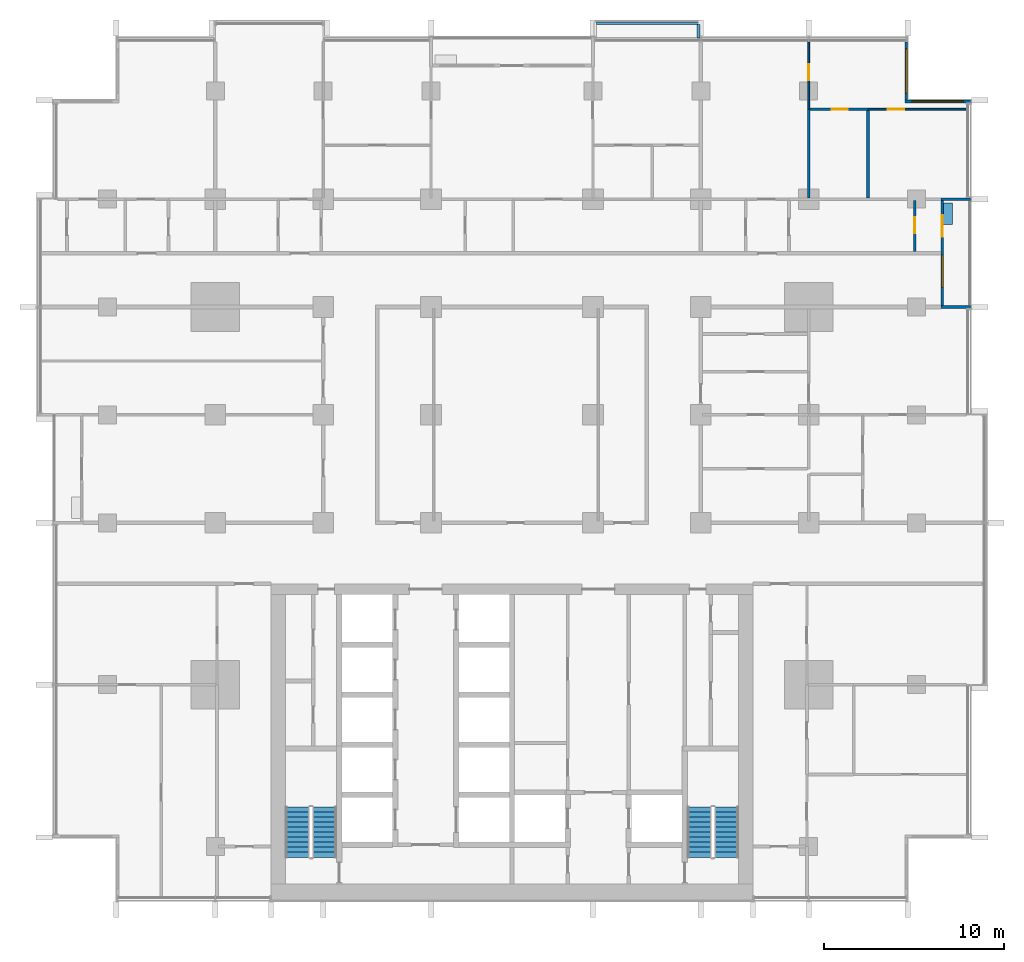
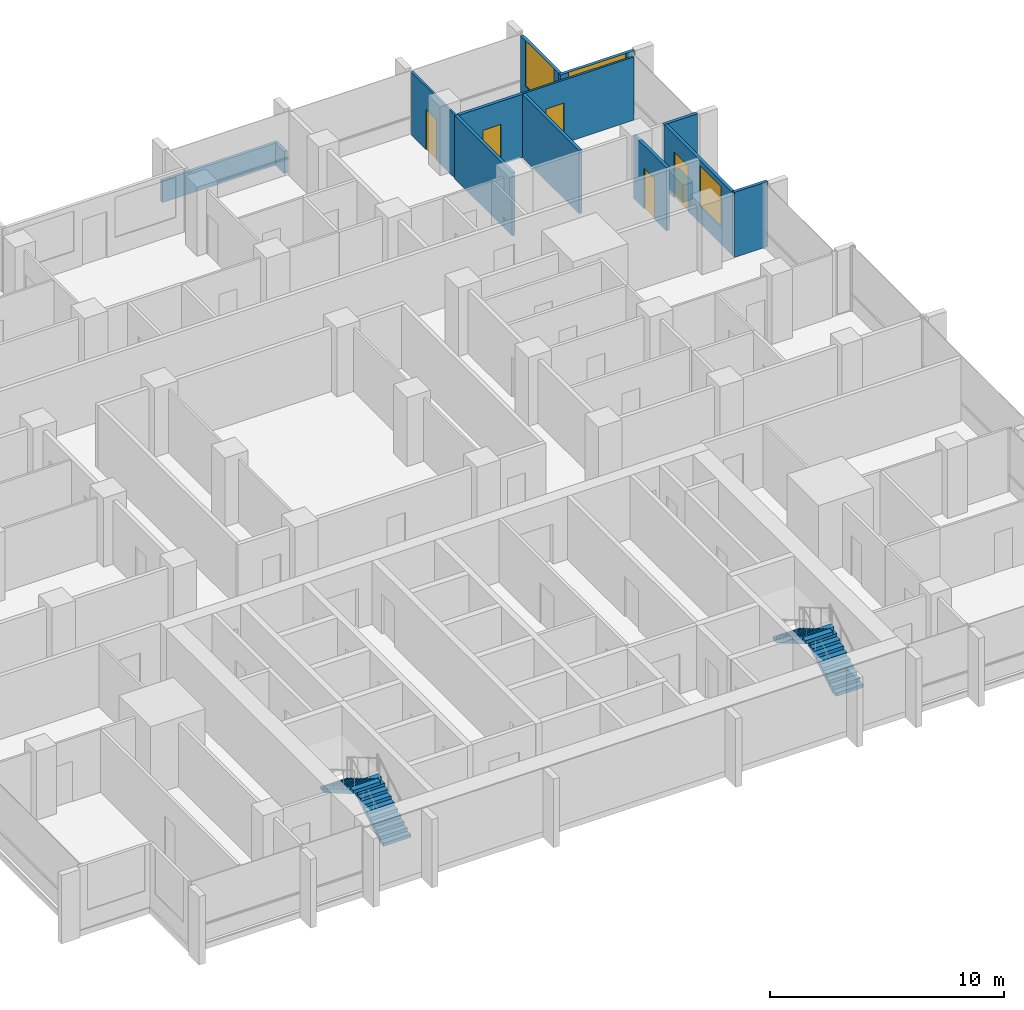
# One storey, part 12 of 17: 14 walls, 5 doors, 4 stair flights, 3 windows, 8 openings, 2 elements without a shape of their own.
"""IFC4 building model written with IfcOpenShell, lengths in metres."""

from ifc_helpers import new_model, si_unit, direction, frame, frame_2d, origin, place, context, subcontext, project, spatial, polyline, rectangle, outline, extrude, material, layer, layer_set, type_object, element, fill, aggregate, save


model = new_model("IFC4")

# Units and contexts
model_context = context("Model", 3, precision=1e-05, world=origin(), true_north=direction((0.0, 1.0)))
body_context = subcontext(model_context, "Body", "Model", "MODEL_VIEW")
ifc_project = project(units=[si_unit("LENGTHUNIT", "METRE"), si_unit("AREAUNIT", "SQUARE_METRE"), si_unit("VOLUMEUNIT", "CUBIC_METRE"), si_unit("PLANEANGLEUNIT", "RADIAN"), si_unit("MASSUNIT", "GRAM", prefix="KILO")], contexts=[model_context])

# Site, building, storey
site_placement = place(None, origin())
site = spatial("IfcSite", under=ifc_project, at=site_placement, CompositionType="ELEMENT")
building_placement = place(site_placement, origin())
building = spatial("IfcBuilding", under=site, at=building_placement, Name="Finial Court Residences", CompositionType="ELEMENT")
storey_placement = place(building_placement, frame((0.0, 0.0, 91.89990234375)))
storey = spatial("IfcBuildingStorey", under=building, at=storey_placement, Name="L22", CompositionType="ELEMENT", Elevation=91.89990234375)

# Wall, opening, door
ifc_material_1 = material(Name="Gypsum board")
ifc_layer_1 = layer(ifc_material_1, 0.012451171875)
ifc_material_2 = material(Name="Mineral wool in light-gauge frame")
ifc_layer_2 = layer(ifc_material_2, 0.074951171875)
ifc_layer_3 = layer(ifc_material_1, 0.012451171875)
ifc_layer_set_1 = layer_set([ifc_layer_1, ifc_layer_2, ifc_layer_3], Name="Gypsum board partition 100")
wall_type_1 = type_object("IfcWallType", Name="Gypsum board partition 100", PredefinedType="PARTITIONING", material=ifc_layer_set_1)
wall_1_placement = place(storey_placement, frame((19.800048828125, 18.5, 0.0), z_axis=(0.0, 0.0, 1.0), x_axis=(1.0, 0.0, 0.0)))
wall_1 = element("IfcWall", 1, at=wall_1_placement, inside=storey, type_object=wall_type_1, Name="Partition L22-038", PredefinedType="PARTITIONING", context=body_context, shape_type="SweptSolid", body=[
    extrude(rectangle(XDim=5.449951171875, YDim=0.10009765625, at=frame_2d((2.72509765625, 0.0))), origin(), (0.0, 0.0, 1.0), 3.300048828125),
])
opening_1_placement = place(wall_1_placement, frame((1.10009765625, 0.0, 0.0)))
opening_1 = element("IfcOpeningElement", 2, at=opening_1_placement, cuts=wall_1, Name="Opening L22-D026", PredefinedType="OPENING", context=body_context, shape_type="SweptSolid", body=[
    extrude(rectangle(XDim=0.89990234375, YDim=2.10009765625, at=frame_2d((0.449951171875, 1.050048828125))), frame((0.0, 0.06005859375, 0.0), z_axis=(0.0, -1.0, 0.0), x_axis=(1.0, 0.0, 0.0)), (0.0, 0.0, 1.0), 0.1201171875),
])
ifc_material_3 = material(Name="Timber door leaf in timber frame", Category="wood")
door_type_1 = type_object("IfcDoorType", Name="Door set 900 x 2100", OperationType="SINGLE_SWING_LEFT", PredefinedType="DOOR", material=ifc_material_3)
door_1_placement = place(opening_1_placement, origin())
door_1 = element("IfcDoor", 3, at=door_1_placement, inside=storey, type_object=door_type_1, Name="Door L22-D026", OperationType="SINGLE_SWING_LEFT", OverallHeight=2.10009765625, OverallWidth=0.89990234375, PredefinedType="DOOR", context=body_context, shape_type="SweptSolid", body=[
    extrude(rectangle(XDim=0.89990234375, YDim=2.10009765625, at=frame_2d((0.449951171875, 1.050048828125))), frame((0.0, 0.02490234375, 0.0), z_axis=(0.0, -1.0, 0.0), x_axis=(1.0, 0.0, 0.0)), (0.0, 0.0, 1.0), 0.050048828125),
])
fill(opening_1, door_1)

wall_2_placement = place(storey_placement, frame((16.5, 18.5, 0.0), z_axis=(0.0, 0.0, 1.0), x_axis=(0.0, 1.0, 0.0)))
wall_2 = element("IfcWall", 4, at=wall_2_placement, inside=storey, type_object=wall_type_1, Name="Partition L22-071", PredefinedType="PARTITIONING", context=body_context, shape_type="SweptSolid", body=[
    extrude(rectangle(XDim=3.75, YDim=0.10009765625, at=frame_2d((1.875, 0.0))), origin(), (0.0, 0.0, 1.0), 3.300048828125),
])
opening_2_placement = place(wall_2_placement, frame((1.60009765625, 0.0, 0.0)))
opening_2 = element("IfcOpeningElement", 5, at=opening_2_placement, cuts=wall_2, Name="Opening L22-D048", PredefinedType="OPENING", context=body_context, shape_type="SweptSolid", body=[
    extrude(rectangle(XDim=0.89990234375, YDim=2.10009765625, at=frame_2d((0.449951171875, 1.050048828125))), frame((0.0, 0.06005859375, 0.0), z_axis=(0.0, -1.0, 0.0), x_axis=(1.0, 0.0, 0.0)), (0.0, 0.0, 1.0), 0.1201171875),
])
door_2_placement = place(opening_2_placement, origin())
door_2 = element("IfcDoor", 6, at=door_2_placement, inside=storey, type_object=door_type_1, Name="Door L22-D048", OperationType="SINGLE_SWING_RIGHT", OverallHeight=2.10009765625, OverallWidth=0.89990234375, PredefinedType="DOOR", context=body_context, shape_type="SweptSolid", body=[
    extrude(rectangle(XDim=0.89990234375, YDim=2.10009765625, at=frame_2d((0.449951171875, 1.050048828125))), frame((0.0, 0.02490234375, 0.0), z_axis=(0.0, -1.0, 0.0), x_axis=(1.0, 0.0, 0.0)), (0.0, 0.0, 1.0), 0.050048828125),
])
fill(opening_2, door_2)

ifc_material_4 = material(Name="Moisture-resistant gypsum board")
ifc_layer_4 = layer(ifc_material_4, 0.012451171875)
ifc_layer_5 = layer(ifc_material_2, 0.125)
ifc_layer_6 = layer(ifc_material_4, 0.012451171875)
ifc_layer_set_2 = layer_set([ifc_layer_4, ifc_layer_5, ifc_layer_6], Name="Gypsum board wet-area partition 150")
wall_type_2 = type_object("IfcWallType", Name="Gypsum board wet-area partition 150", PredefinedType="PARTITIONING", material=ifc_layer_set_2)
wall_3_placement = place(storey_placement, frame((16.574951171875, 18.5, 0.0), z_axis=(0.0, 0.0, 1.0), x_axis=(1.0, 0.0, 0.0)))
wall_3 = element("IfcWall", 7, at=wall_3_placement, inside=storey, type_object=wall_type_2, Name="Partition L22-039", PredefinedType="PARTITIONING", context=body_context, shape_type="SweptSolid", body=[
    extrude(rectangle(XDim=3.22509765625, YDim=0.14990234375, at=frame_2d((1.612548828125, 0.0))), origin(), (0.0, 0.0, 1.0), 3.300048828125),
])
opening_3_placement = place(wall_3_placement, frame((1.199951171875, 0.0, 0.0)))
opening_3 = element("IfcOpeningElement", 8, at=opening_3_placement, cuts=wall_3, Name="Opening L22-D027", PredefinedType="OPENING", context=body_context, shape_type="SweptSolid", body=[
    extrude(rectangle(XDim=0.89990234375, YDim=2.10009765625, at=frame_2d((0.449951171875, 1.050048828125))), frame((0.0, 0.0849609375, 0.0), z_axis=(0.0, -1.0, 0.0), x_axis=(1.0, 0.0, 0.0)), (0.0, 0.0, 1.0), 0.169921875),
])
door_3_placement = place(opening_3_placement, origin())
door_3 = element("IfcDoor", 9, at=door_3_placement, inside=storey, type_object=door_type_1, Name="Door L22-D027", OperationType="SINGLE_SWING_RIGHT", OverallHeight=2.10009765625, OverallWidth=0.89990234375, PredefinedType="DOOR", context=body_context, shape_type="SweptSolid", body=[
    extrude(rectangle(XDim=0.89990234375, YDim=2.10009765625, at=frame_2d((0.449951171875, 1.050048828125))), frame((0.0, 0.02490234375, 0.0), z_axis=(0.0, -1.0, 0.0), x_axis=(1.0, 0.0, 0.0)), (0.0, 0.0, 1.0), 0.050048828125),
])
fill(opening_3, door_3)

# Walls
wall_4_placement = place(storey_placement, frame((16.5, 13.574951171875, 0.0), z_axis=(0.0, 0.0, 1.0), x_axis=(0.0, 1.0, 0.0)))
element("IfcWall", 10, at=wall_4_placement, inside=storey, type_object=wall_type_2, Name="Partition L22-075", PredefinedType="PARTITIONING", context=body_context, shape_type="SweptSolid", body=[
    extrude(rectangle(XDim=4.925048828125, YDim=0.14990234375, at=frame_2d((2.46240234375, 0.0))), origin(), (0.0, 0.0, 1.0), 3.300048828125),
])
wall_5_placement = place(storey_placement, frame((19.800048828125, 13.574951171875, 0.0), z_axis=(0.0, 0.0, 1.0), x_axis=(0.0, 1.0, 0.0)))
element("IfcWall", 11, at=wall_5_placement, inside=storey, type_object=wall_type_2, Name="Partition L22-079", PredefinedType="PARTITIONING", context=body_context, shape_type="SweptSolid", body=[
    extrude(rectangle(XDim=4.85009765625, YDim=0.14990234375, at=frame_2d((2.425048828125, 0.0))), origin(), (0.0, 0.0, 1.0), 3.300048828125),
])

# Wall, opening, door
wall_6_placement = place(storey_placement, frame((22.39990234375, 10.60009765625, 0.0), z_axis=(0.0, 0.0, 1.0), x_axis=(0.0, 1.0, 0.0)))
wall_6 = element("IfcWall", 12, at=wall_6_placement, inside=storey, type_object=wall_type_2, Name="Partition L22-080", PredefinedType="PARTITIONING", context=body_context, shape_type="SweptSolid", body=[
    extrude(rectangle(XDim=2.824951171875, YDim=0.14990234375, at=frame_2d((1.41259765625, 0.0))), origin(), (0.0, 0.0, 1.0), 3.300048828125),
])
opening_4_placement = place(wall_6_placement, frame((1.0, 0.0, 0.0)))
opening_4 = element("IfcOpeningElement", 13, at=opening_4_placement, cuts=wall_6, Name="Opening L22-D051", PredefinedType="OPENING", context=body_context, shape_type="SweptSolid", body=[
    extrude(rectangle(XDim=0.89990234375, YDim=2.10009765625, at=frame_2d((0.449951171875, 1.050048828125))), frame((0.0, 0.0849609375, 0.0), z_axis=(0.0, -1.0, 0.0), x_axis=(1.0, 0.0, 0.0)), (0.0, 0.0, 1.0), 0.169921875),
])
door_4_placement = place(opening_4_placement, origin())
door_4 = element("IfcDoor", 14, at=door_4_placement, inside=storey, type_object=door_type_1, Name="Door L22-D051", OperationType="SINGLE_SWING_LEFT", OverallHeight=2.10009765625, OverallWidth=0.89990234375, PredefinedType="DOOR", context=body_context, shape_type="SweptSolid", body=[
    extrude(rectangle(XDim=0.89990234375, YDim=2.10009765625, at=frame_2d((0.449951171875, 1.050048828125))), frame((0.0, 0.02490234375, 0.0), z_axis=(0.0, -1.0, 0.0), x_axis=(1.0, 0.0, 0.0)), (0.0, 0.0, 1.0), 0.050048828125),
])
fill(opening_4, door_4)

# Walls
ifc_material_5 = material(Name="Concrete C35/45", Category="concrete")
ifc_layer_7 = layer(ifc_material_5, 0.14990234375)
ifc_layer_set_3 = layer_set([ifc_layer_7], Name="Ledge parapet, Concrete C35/45 150")
wall_type_3 = type_object("IfcWallType", Name="Ledge parapet, Concrete C35/45 150", PredefinedType="PARAPET", material=ifc_layer_set_3)
wall_7_placement = place(storey_placement, frame((4.699951171875, 23.27490234375, 0.0), z_axis=(0.0, 0.0, 1.0), x_axis=(1.0, 0.0, 0.0)))
element("IfcWall", 15, at=wall_7_placement, inside=storey, type_object=wall_type_3, Name="E-L22-LED1-P2", PredefinedType="PARAPET", context=body_context, shape_type="SweptSolid", body=[
    extrude(rectangle(XDim=5.75, YDim=0.14990234375, at=frame_2d((2.875, 0.0))), origin(), (0.0, 0.0, 1.0), 1.150146484375),
])
wall_8_placement = place(storey_placement, frame((10.375, 23.199951171875, 0.0), z_axis=(0.0, 0.0, 1.0), x_axis=(0.0, -1.0, 0.0)))
element("IfcWall", 16, at=wall_8_placement, inside=storey, type_object=wall_type_3, Name="E-L22-LED1-P3", PredefinedType="PARAPET", context=body_context, shape_type="SweptSolid", body=[
    extrude(rectangle(XDim=0.739990234375, YDim=0.14990234375, at=frame_2d((0.3701171875, 0.0))), origin(), (0.0, 0.0, 1.0), 1.150146484375),
])

# Wall, opening, window
ifc_material_6 = material(Name="Natural limestone", Category="masonry")
ifc_layer_8 = layer(ifc_material_6, 0.14990234375)
ifc_layer_set_4 = layer_set([ifc_layer_8], Name="Limestone clad wall 150")
wall_type_4 = type_object("IfcWallType", Name="Limestone clad wall 150", PredefinedType="SOLIDWALL", material=ifc_layer_set_4)
wall_9_placement = place(storey_placement, frame((21.925048828125, 22.25, 0.0), z_axis=(0.0, 0.0, 1.0), x_axis=(0.0, -1.0, 0.0)))
wall_9 = element("IfcWall", 17, at=wall_9_placement, inside=storey, type_object=wall_type_4, Name="E-L22-NWE22", PredefinedType="SOLIDWALL", context=body_context, shape_type="SweptSolid", body=[
    extrude(rectangle(XDim=3.25, YDim=0.14990234375, at=frame_2d((1.625, 0.0))), origin(), (0.0, 0.0, 1.0), 3.300048828125),
])
opening_5_placement = place(wall_9_placement, frame((0.39990234375, 0.0, 0.89990234375)))
opening_5 = element("IfcOpeningElement", 18, at=opening_5_placement, cuts=wall_9, Name="Opening WE22-07", PredefinedType="OPENING", context=body_context, shape_type="SweptSolid", body=[
    extrude(rectangle(XDim=2.449951171875, YDim=2.39990234375, at=frame_2d((1.22509765625, 1.199951171875))), frame((0.0, 0.0849609375, 0.0), z_axis=(0.0, -1.0, 0.0), x_axis=(1.0, 0.0, 0.0)), (0.0, 0.0, 1.0), 0.169921875),
])
ifc_material_7 = material(Name="Clear low-e glass", Category="glass")
window_type_1 = type_object("IfcWindowType", Name="Corner window 2450 x 2400", PartitioningType="SINGLE_PANEL", PredefinedType="WINDOW", material=ifc_material_7)
window_1_placement = place(opening_5_placement, origin())
window_1 = element("IfcWindow", 19, at=window_1_placement, inside=storey, type_object=window_type_1, Name="E-L22-NWE22-W1", OverallHeight=2.39990234375, OverallWidth=2.449951171875, PartitioningType="SINGLE_PANEL", PredefinedType="WINDOW", context=body_context, shape_type="SweptSolid", body=[
    extrude(rectangle(XDim=2.449951171875, YDim=2.39990234375, at=frame_2d((1.22509765625, 1.199951171875))), frame((0.0, 0.030029296875, 0.0), z_axis=(0.0, -1.0, 0.0), x_axis=(1.0, 0.0, 0.0)), (0.0, 0.0, 1.0), 0.06005859375),
])
fill(opening_5, window_1)

wall_10_placement = place(storey_placement, frame((21.85009765625, 18.925048828125, 0.0), z_axis=(0.0, 0.0, 1.0), x_axis=(1.0, 0.0, 0.0)))
wall_10 = element("IfcWall", 20, at=wall_10_placement, inside=storey, type_object=wall_type_4, Name="E-L22-NWN23", PredefinedType="SOLIDWALL", context=body_context, shape_type="SweptSolid", body=[
    extrude(rectangle(XDim=3.64990234375, YDim=0.14990234375, at=frame_2d((1.824951171875, 0.0))), origin(), (0.0, 0.0, 1.0), 3.300048828125),
])
opening_6_placement = place(wall_10_placement, frame((0.39990234375, 0.0, 0.89990234375)))
opening_6 = element("IfcOpeningElement", 21, at=opening_6_placement, cuts=wall_10, Name="Opening WE22-08", PredefinedType="OPENING", context=body_context, shape_type="SweptSolid", body=[
    extrude(rectangle(XDim=2.85009765625, YDim=2.39990234375, at=frame_2d((1.425048828125, 1.199951171875))), frame((0.0, 0.0849609375, 0.0), z_axis=(0.0, -1.0, 0.0), x_axis=(1.0, 0.0, 0.0)), (0.0, 0.0, 1.0), 0.169921875),
])
window_type_2 = type_object("IfcWindowType", Name="Corner window 2850 x 2400", PartitioningType="SINGLE_PANEL", PredefinedType="WINDOW", material=ifc_material_7)
window_2_placement = place(opening_6_placement, origin())
window_2 = element("IfcWindow", 22, at=window_2_placement, inside=storey, type_object=window_type_2, Name="E-L22-NWN23-W1", OverallHeight=2.39990234375, OverallWidth=2.85009765625, PartitioningType="SINGLE_PANEL", PredefinedType="WINDOW", context=body_context, shape_type="SweptSolid", body=[
    extrude(rectangle(XDim=2.85009765625, YDim=2.39990234375, at=frame_2d((1.425048828125, 1.199951171875))), frame((0.0, 0.030029296875, 0.0), z_axis=(0.0, -1.0, 0.0), x_axis=(1.0, 0.0, 0.0)), (0.0, 0.0, 1.0), 0.06005859375),
])
fill(opening_6, window_2)

# Walls
wall_11_placement = place(storey_placement, frame((23.85009765625, 7.5, 0.0), z_axis=(0.0, 0.0, 1.0), x_axis=(1.0, 0.0, 0.0)))
element("IfcWall", 23, at=wall_11_placement, inside=storey, type_object=wall_type_4, Name="E-L22-BALE5-P1", PredefinedType="SOLIDWALL", context=body_context, shape_type="SweptSolid", body=[
    extrude(rectangle(XDim=1.64990234375, YDim=0.14990234375, at=frame_2d((0.824951171875, 0.0))), origin(), (0.0, 0.0, 1.0), 3.400146484375),
])
wall_12_placement = place(storey_placement, frame((23.85009765625, 13.5, 0.0), z_axis=(0.0, 0.0, 1.0), x_axis=(1.0, 0.0, 0.0)))
element("IfcWall", 24, at=wall_12_placement, inside=storey, type_object=wall_type_4, Name="E-L22-BALE5-P2", PredefinedType="SOLIDWALL", context=body_context, shape_type="SweptSolid", body=[
    extrude(rectangle(XDim=1.64990234375, YDim=0.14990234375, at=frame_2d((0.824951171875, 0.0))), origin(), (0.0, 0.0, 1.0), 3.300048828125),
])

# Wall, openings, door, window
wall_13_placement = place(storey_placement, frame((23.925048828125, 13.425048828125, 0.0), z_axis=(0.0, 0.0, 1.0), x_axis=(0.0, -1.0, 0.0)))
wall_13 = element("IfcWall", 25, at=wall_13_placement, inside=storey, type_object=wall_type_4, Name="E-L22-L22-BALE5-W", PredefinedType="SOLIDWALL", context=body_context, shape_type="SweptSolid", body=[
    extrude(rectangle(XDim=5.85009765625, YDim=0.14990234375, at=frame_2d((2.925048828125, 0.0))), origin(), (0.0, 0.0, 1.0), 3.300048828125),
])
opening_7_placement = place(wall_13_placement, frame((0.824951171875, 0.0, 0.0)))
opening_7 = element("IfcOpeningElement", 26, at=opening_7_placement, cuts=wall_13, Name="Opening DE22-02", PredefinedType="OPENING", context=body_context, shape_type="SweptSolid", body=[
    extrude(rectangle(XDim=1.199951171875, YDim=2.39990234375, at=frame_2d((0.60009765625, 1.199951171875))), frame((0.0, 0.0849609375, 0.0), z_axis=(0.0, -1.0, 0.0), x_axis=(1.0, 0.0, 0.0)), (0.0, 0.0, 1.0), 0.169921875),
])
opening_8_placement = place(wall_13_placement, frame((3.03759765625, 0.0, 0.89990234375)))
opening_8 = element("IfcOpeningElement", 27, at=opening_8_placement, cuts=wall_13, Name="Opening WE22-11", PredefinedType="OPENING", context=body_context, shape_type="SweptSolid", body=[
    extrude(rectangle(XDim=1.800048828125, YDim=2.10009765625, at=frame_2d((0.89990234375, 1.050048828125))), frame((0.0, 0.0849609375, 0.0), z_axis=(0.0, -1.0, 0.0), x_axis=(1.0, 0.0, 0.0)), (0.0, 0.0, 1.0), 0.169921875),
])
ifc_material_8 = material(Name="Bronze anodised aluminium", Category="aluminium")
door_type_2 = type_object("IfcDoorType", Name="Balcony door 1200 x 2400", OperationType="SINGLE_SWING_LEFT", PredefinedType="DOOR", material=ifc_material_8)
door_5_placement = place(opening_7_placement, origin())
door_5 = element("IfcDoor", 28, at=door_5_placement, inside=storey, type_object=door_type_2, Name="E-L22-L22-BALE5-W-D", OperationType="SINGLE_SWING_LEFT", OverallHeight=2.39990234375, OverallWidth=1.199951171875, PredefinedType="DOOR", context=body_context, shape_type="SweptSolid", body=[
    extrude(rectangle(XDim=1.199951171875, YDim=2.39990234375, at=frame_2d((0.60009765625, 1.199951171875))), frame((0.0, 0.02490234375, 0.0), z_axis=(0.0, -1.0, 0.0), x_axis=(1.0, 0.0, 0.0)), (0.0, 0.0, 1.0), 0.050048828125),
])
fill(opening_7, door_5)
window_type_3 = type_object("IfcWindowType", Name="Balcony window 1800 x 2100", PartitioningType="SINGLE_PANEL", PredefinedType="WINDOW", material=ifc_material_7)
window_3_placement = place(opening_8_placement, origin())
window_3 = element("IfcWindow", 29, at=window_3_placement, inside=storey, type_object=window_type_3, Name="E-L22-L22-BALE5-W-W1", OverallHeight=2.10009765625, OverallWidth=1.800048828125, PartitioningType="SINGLE_PANEL", PredefinedType="WINDOW", context=body_context, shape_type="SweptSolid", body=[
    extrude(rectangle(XDim=1.800048828125, YDim=2.10009765625, at=frame_2d((0.89990234375, 1.050048828125))), frame((0.0, 0.030029296875, 0.0), z_axis=(0.0, -1.0, 0.0), x_axis=(1.0, 0.0, 0.0)), (0.0, 0.0, 1.0), 0.06005859375),
])
fill(opening_8, window_3)

# Wall
ifc_material_9 = material(Name="Concrete C40/50", Category="concrete")
ifc_layer_9 = layer(ifc_material_9, 0.10009765625)
ifc_material_10 = material(Name="Planting soil", Category="soil")
ifc_layer_10 = layer(ifc_material_10, 0.300048828125)
ifc_layer_11 = layer(ifc_material_9, 0.10009765625)
ifc_layer_set_5 = layer_set([ifc_layer_9, ifc_layer_10, ifc_layer_11], Name="Planter wall, balcony")
wall_type_5 = type_object("IfcWallType", Name="Planter wall, balcony", PredefinedType="USERDEFINED", material=ifc_layer_set_5)
wall_14_placement = place(storey_placement, frame((24.25, 12.074951171875, 0.0), z_axis=(0.0, 0.0, 1.0), x_axis=(0.0, 1.0, 0.0)))
element("IfcWall", 30, at=wall_14_placement, inside=storey, type_object=wall_type_5, Name="E-L22-BALE5-PL", ObjectType="PLANTER", PredefinedType="USERDEFINED", context=body_context, shape_type="SweptSolid", body=[
    extrude(rectangle(XDim=1.199951171875, YDim=0.5, at=frame_2d((0.60009765625, 0.0))), origin(), (0.0, 0.0, 1.0), 0.900146484375),
])

# Stair, stair flights
ifc_material_11 = material(Name="Concrete C50/60", Category="concrete")
stair_type = type_object("IfcStairType", Name="Exit stair 22 risers of 163.6 mm", PredefinedType="HALF_TURN_STAIR", material=ifc_material_11)
stair_1_placement = place(storey_placement, origin())
stair_1 = element("IfcStair", 31, at=stair_1_placement, inside=storey, type_object=stair_type, Name="L22 Exit stair ST-1", PredefinedType="HALF_TURN_STAIR")
stair_flight_type = type_object("IfcStairFlightType", Name="Exit stair flight", PredefinedType="STRAIGHT", material=ifc_material_11)
stair_flight_1_placement = place(storey_placement, frame((-10.425048828125, -23.10009765625, 0.0), z_axis=(0.0, 0.0, 1.0), x_axis=(0.0, 1.0, 0.0)))
stair_flight_1 = element("IfcStairFlight", 32, at=stair_flight_1_placement, type_object=stair_flight_type, Name="ST-1 flight 1", NumberOfRisers=11, NumberOfTreads=10, PredefinedType="STRAIGHT", RiserHeight=0.163636364, TreadLength=0.28, context=body_context, shape_type="SweptSolid", body=[
    extrude(outline(polyline([(0.0, 0.0), (0.0, 0.16357421875), (0.280029296875, 0.16357421875), (0.280029296875, 0.327392578125), (0.56005859375, 0.327392578125), (0.56005859375, 0.490966796875), (0.840087890625, 0.490966796875), (0.840087890625, 0.654541015625), (1.1201171875, 0.654541015625), (1.1201171875, 0.818115234375), (1.39990234375, 0.818115234375), (1.39990234375, 0.98193359375), (1.679931640625, 0.98193359375), (1.679931640625, 1.1455078125), (1.9599609375, 1.1455078125), (1.9599609375, 1.30908203125), (2.239990234375, 1.30908203125), (2.239990234375, 1.47265625), (2.52001953125, 1.47265625), (2.52001953125, 1.636474609375), (2.800048828125, 1.636474609375), (2.800048828125, 1.800048828125), (2.800048828125, 1.462646484375), (0.297119140625, 0.0), (0.0, 0.0)])), frame((0.0, 0.675048828125, 0.0), z_axis=(0.0, -1.0, 0.0), x_axis=(1.0, 0.0, 0.0)), (0.0, 0.0, 1.0), 1.35009765625),
])
stair_flight_2_placement = place(storey_placement, frame((-11.925048828125, -20.300048828125, 1.800048828125), z_axis=(0.0, 0.0, 1.0), x_axis=(0.0, -1.0, 0.0)))
stair_flight_2 = element("IfcStairFlight", 33, at=stair_flight_2_placement, type_object=stair_flight_type, Name="ST-1 flight 2", NumberOfRisers=11, NumberOfTreads=10, PredefinedType="STRAIGHT", RiserHeight=0.163636364, TreadLength=0.28, context=body_context, shape_type="SweptSolid", body=[
    extrude(outline(polyline([(0.0, 0.0), (0.0, 0.16357421875), (0.280029296875, 0.16357421875), (0.280029296875, 0.327392578125), (0.56005859375, 0.327392578125), (0.56005859375, 0.490966796875), (0.840087890625, 0.490966796875), (0.840087890625, 0.654541015625), (1.1201171875, 0.654541015625), (1.1201171875, 0.818115234375), (1.39990234375, 0.818115234375), (1.39990234375, 0.98193359375), (1.679931640625, 0.98193359375), (1.679931640625, 1.1455078125), (1.9599609375, 1.1455078125), (1.9599609375, 1.30908203125), (2.239990234375, 1.30908203125), (2.239990234375, 1.47265625), (2.52001953125, 1.47265625), (2.52001953125, 1.636474609375), (2.800048828125, 1.636474609375), (2.800048828125, 1.800048828125), (2.800048828125, 1.462646484375), (0.297119140625, 0.0), (0.0, 0.0)])), frame((0.0, 0.675048828125, 0.0), z_axis=(0.0, -1.0, 0.0), x_axis=(1.0, 0.0, 0.0)), (0.0, 0.0, 1.0), 1.35009765625),
])
aggregate(stair_1, [stair_flight_1, stair_flight_2])

stair_2_placement = place(storey_placement, origin())
stair_2 = element("IfcStair", 34, at=stair_2_placement, inside=storey, type_object=stair_type, Name="L22 Exit stair ST-2", PredefinedType="HALF_TURN_STAIR")
stair_flight_3_placement = place(storey_placement, frame((11.925048828125, -23.10009765625, 0.0), z_axis=(0.0, 0.0, 1.0), x_axis=(0.0, 1.0, 0.0)))
stair_flight_3 = element("IfcStairFlight", 35, at=stair_flight_3_placement, type_object=stair_flight_type, Name="ST-2 flight 1", NumberOfRisers=11, NumberOfTreads=10, PredefinedType="STRAIGHT", RiserHeight=0.163636364, TreadLength=0.28, context=body_context, shape_type="SweptSolid", body=[
    extrude(outline(polyline([(0.0, 0.0), (0.0, 0.16357421875), (0.280029296875, 0.16357421875), (0.280029296875, 0.327392578125), (0.56005859375, 0.327392578125), (0.56005859375, 0.490966796875), (0.840087890625, 0.490966796875), (0.840087890625, 0.654541015625), (1.1201171875, 0.654541015625), (1.1201171875, 0.818115234375), (1.39990234375, 0.818115234375), (1.39990234375, 0.98193359375), (1.679931640625, 0.98193359375), (1.679931640625, 1.1455078125), (1.9599609375, 1.1455078125), (1.9599609375, 1.30908203125), (2.239990234375, 1.30908203125), (2.239990234375, 1.47265625), (2.52001953125, 1.47265625), (2.52001953125, 1.636474609375), (2.800048828125, 1.636474609375), (2.800048828125, 1.800048828125), (2.800048828125, 1.462646484375), (0.297119140625, 0.0), (0.0, 0.0)])), frame((0.0, 0.675048828125, 0.0), z_axis=(0.0, -1.0, 0.0), x_axis=(1.0, 0.0, 0.0)), (0.0, 0.0, 1.0), 1.35009765625),
])
stair_flight_4_placement = place(storey_placement, frame((10.425048828125, -20.300048828125, 1.800048828125), z_axis=(0.0, 0.0, 1.0), x_axis=(0.0, -1.0, 0.0)))
stair_flight_4 = element("IfcStairFlight", 36, at=stair_flight_4_placement, type_object=stair_flight_type, Name="ST-2 flight 2", NumberOfRisers=11, NumberOfTreads=10, PredefinedType="STRAIGHT", RiserHeight=0.163636364, TreadLength=0.28, context=body_context, shape_type="SweptSolid", body=[
    extrude(outline(polyline([(0.0, 0.0), (0.0, 0.16357421875), (0.280029296875, 0.16357421875), (0.280029296875, 0.327392578125), (0.56005859375, 0.327392578125), (0.56005859375, 0.490966796875), (0.840087890625, 0.490966796875), (0.840087890625, 0.654541015625), (1.1201171875, 0.654541015625), (1.1201171875, 0.818115234375), (1.39990234375, 0.818115234375), (1.39990234375, 0.98193359375), (1.679931640625, 0.98193359375), (1.679931640625, 1.1455078125), (1.9599609375, 1.1455078125), (1.9599609375, 1.30908203125), (2.239990234375, 1.30908203125), (2.239990234375, 1.47265625), (2.52001953125, 1.47265625), (2.52001953125, 1.636474609375), (2.800048828125, 1.636474609375), (2.800048828125, 1.800048828125), (2.800048828125, 1.462646484375), (0.297119140625, 0.0), (0.0, 0.0)])), frame((0.0, 0.675048828125, 0.0), z_axis=(0.0, -1.0, 0.0), x_axis=(1.0, 0.0, 0.0)), (0.0, 0.0, 1.0), 1.35009765625),
])
aggregate(stair_2, [stair_flight_3, stair_flight_4])

save(model, "model.ifc")
